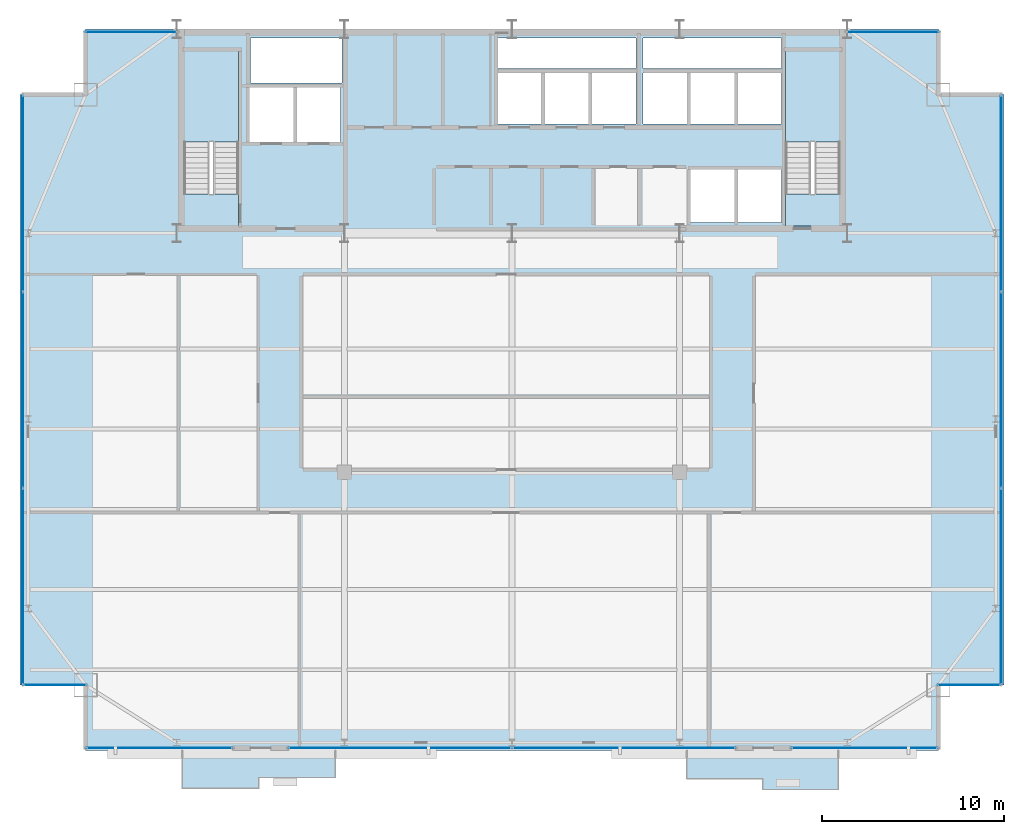
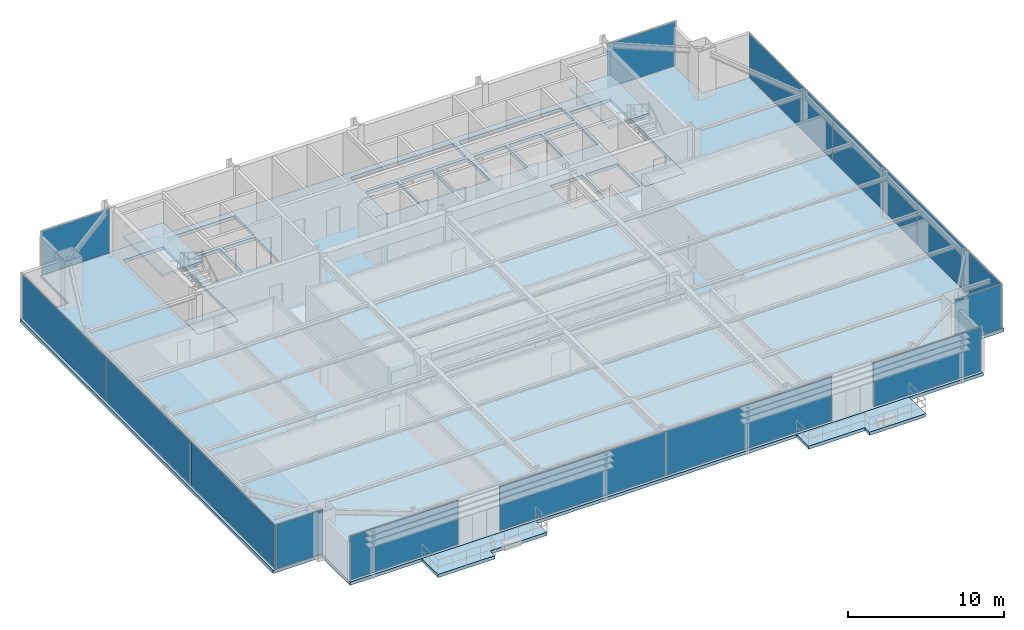
# One storey, part 24 of 31: 14 plates, 7 slabs, 11 elements without a shape of their own.
"""IFC4 building model written with IfcOpenShell, lengths in metres."""

from ifc_helpers import new_model, si_unit, direction, frame, origin, origin_2d, place, context, subcontext, project, spatial, polyline, rectangle, outline, extrude, source, transform, mapped, material, layer, layer_set, type_object, type_shapes, element, aggregate, save


model = new_model("IFC4")

# Units and contexts
model_context = context("Model", 3, precision=1e-05, world=origin(), true_north=direction((0.0, 1.0)))
body_context = subcontext(model_context, "Body", "Model", "MODEL_VIEW")
ifc_project = project(units=[si_unit("LENGTHUNIT", "METRE"), si_unit("AREAUNIT", "SQUARE_METRE"), si_unit("VOLUMEUNIT", "CUBIC_METRE"), si_unit("PLANEANGLEUNIT", "RADIAN"), si_unit("MASSUNIT", "GRAM", prefix="KILO")], contexts=[model_context])

# Site, building, storey
site_placement = place(None, origin())
site = spatial("IfcSite", under=ifc_project, at=site_placement, CompositionType="ELEMENT")
building_placement = place(site_placement, origin())
building = spatial("IfcBuilding", under=site, at=building_placement, Name="Varnel Quay Broadcast Tower", CompositionType="ELEMENT")
storey_placement = place(building_placement, frame((0.0, 0.0, 153.39990234375)))
storey = spatial("IfcBuildingStorey", under=building, at=storey_placement, Name="L37", CompositionType="ELEMENT", Elevation=153.39990234375)

# Slabs
ifc_material_1 = material(Name="Concrete CSA A23.3 C40/50", Category="concrete")
ifc_layer_1 = layer(ifc_material_1, 0.25, Name="Concrete CSA A23.3 C40/50")
ifc_layer_set_1 = layer_set([ifc_layer_1], Name="Concrete CSA A23.3 C40/50")
slab_type_1 = type_object("IfcSlabType", Name="Slab_ExtTerrace250", PredefinedType="FLOOR", material=ifc_layer_set_1)
slab_1_placement = place(storey_placement, frame((0.0, 0.0, -0.25)))
element("IfcSlab", 1, at=slab_1_placement, inside=storey, type_object=slab_type_1, Name="L37 Planted Lobe Terrace Slab 1", PredefinedType="FLOOR", context=body_context, shape_type="SweptSolid", body=[
    extrude(outline(polyline([(15.909912109375, 5.1298828125), (20.110107421875, 5.1298828125), (20.110107421875, 5.72998046875), (24.31005859375, 5.72998046875), (24.31005859375, 7.199951171875), (15.909912109375, 7.199951171875), (15.909912109375, 5.1298828125)])), origin(), (0.0, 0.0, 1.0), 0.25),
])
slab_2_placement = place(storey_placement, frame((0.0, 0.0, -0.25)))
element("IfcSlab", 2, at=slab_2_placement, inside=storey, type_object=slab_type_1, Name="L37 Planted Lobe Terrace Slab 2", PredefinedType="FLOOR", context=body_context, shape_type="SweptSolid", body=[
    extrude(outline(polyline([(43.60009765625, 5.669921875), (47.7548828125, 5.669921875), (47.7548828125, 5.070068359375), (51.909912109375, 5.070068359375), (51.909912109375, 7.199951171875), (43.60009765625, 7.199951171875), (43.60009765625, 5.669921875)])), origin(), (0.0, 0.0, 1.0), 0.25),
])
ifc_material_2 = material(Name="Concrete CSA A23.3 C50/60", Category="concrete")
ifc_layer_2 = layer(ifc_material_2, 0.25, Name="Concrete CSA A23.3 C50/60")
ifc_layer_set_2 = layer_set([ifc_layer_2], Name="Concrete CSA A23.3 C50/60")
slab_type_2 = type_object("IfcSlabType", Name="Slab_Floor250", PredefinedType="FLOOR", material=ifc_layer_set_2)
slab_3_placement = place(storey_placement, frame((0.0, 0.0, -0.25)))
element("IfcSlab", 3, at=slab_3_placement, inside=storey, type_object=slab_type_2, Name="L37 Structural Slab", PredefinedType="FLOOR", context=body_context, shape_type="SweptSolid", body=[
    extrude(outline(polyline([(10.60009765625, 7.199951171875), (57.39990234375, 7.199951171875), (57.39990234375, 10.800048828125), (61.0, 10.800048828125), (61.0, 43.199951171875), (57.39990234375, 43.199951171875), (57.39990234375, 46.800048828125), (10.60009765625, 46.800048828125), (10.60009765625, 43.199951171875), (7.0, 43.199951171875), (7.0, 10.800048828125), (10.60009765625, 10.800048828125), (10.60009765625, 7.199951171875)]), holes=[polyline([(19.0, 36.0), (16.0, 36.0), (16.0, 45.60009765625), (19.0, 45.60009765625), (19.0, 36.0)]), polyline([(19.60009765625, 43.60009765625), (22.0, 43.60009765625), (22.0, 40.60009765625), (19.60009765625, 40.60009765625), (19.60009765625, 43.60009765625)]), polyline([(22.199951171875, 43.60009765625), (24.60009765625, 43.60009765625), (24.60009765625, 40.60009765625), (22.199951171875, 40.60009765625), (22.199951171875, 43.60009765625)]), polyline([(33.199951171875, 44.39990234375), (35.60009765625, 44.39990234375), (35.60009765625, 41.60009765625), (33.199951171875, 41.60009765625), (33.199951171875, 44.39990234375)]), polyline([(35.800048828125, 44.39990234375), (38.199951171875, 44.39990234375), (38.199951171875, 41.60009765625), (35.800048828125, 41.60009765625), (35.800048828125, 44.39990234375)]), polyline([(38.39990234375, 44.39990234375), (40.800048828125, 44.39990234375), (40.800048828125, 41.60009765625), (38.39990234375, 41.60009765625), (38.39990234375, 44.39990234375)]), polyline([(19.64990234375, 46.300048828125), (24.679931640625, 46.300048828125), (24.679931640625, 43.85009765625), (19.64990234375, 43.85009765625), (19.64990234375, 46.300048828125)]), polyline([(33.199951171875, 46.300048828125), (40.800048828125, 46.300048828125), (40.800048828125, 44.64990234375), (33.199951171875, 44.64990234375), (33.199951171875, 46.300048828125)]), polyline([(43.800048828125, 39.10009765625), (46.199951171875, 39.10009765625), (46.199951171875, 36.199951171875), (43.800048828125, 36.199951171875), (43.800048828125, 39.10009765625)]), polyline([(46.39990234375, 39.10009765625), (48.800048828125, 39.10009765625), (48.800048828125, 36.199951171875), (46.39990234375, 36.199951171875), (46.39990234375, 39.10009765625)]), polyline([(49.0, 36.0), (49.0, 45.60009765625), (52.0, 45.60009765625), (52.0, 36.0), (49.0, 36.0)]), polyline([(41.199951171875, 44.39990234375), (43.60009765625, 44.39990234375), (43.60009765625, 41.60009765625), (41.199951171875, 41.60009765625), (41.199951171875, 44.39990234375)]), polyline([(43.800048828125, 44.39990234375), (46.199951171875, 44.39990234375), (46.199951171875, 41.60009765625), (43.800048828125, 41.60009765625), (43.800048828125, 44.39990234375)]), polyline([(46.39990234375, 44.39990234375), (48.800048828125, 44.39990234375), (48.800048828125, 41.60009765625), (46.39990234375, 41.60009765625), (46.39990234375, 44.39990234375)]), polyline([(41.199951171875, 46.300048828125), (48.800048828125, 46.300048828125), (48.800048828125, 44.64990234375), (41.199951171875, 44.64990234375), (41.199951171875, 46.300048828125)])]), origin(), (0.0, 0.0, 1.0), 0.25),
])
ifc_layer_3 = layer(ifc_material_2, 0.25, Name="Concrete CSA A23.3 C50/60")
ifc_layer_set_3 = layer_set([ifc_layer_3], Name="Concrete CSA A23.3 C50/60")
slab_type_3 = type_object("IfcSlabType", Name="Slab_StairFloorLanding250", PredefinedType="FLOOR", material=ifc_layer_set_3)
slab_4_placement = place(storey_placement, frame((0.0, 0.0, -0.25)))
element("IfcSlab", 4, at=slab_4_placement, inside=storey, type_object=slab_type_3, Name="L37 ST-01 Structural Floor Landing Slab", PredefinedType="FLOOR", context=body_context, shape_type="SweptSolid", body=[
    extrude(outline(polyline([(19.0, 36.0), (19.0, 37.75), (16.0, 37.75), (16.0, 36.0), (19.0, 36.0)])), origin(), (0.0, 0.0, 1.0), 0.25),
])
slab_5_placement = place(storey_placement, frame((0.0, 0.0, -0.25)))
element("IfcSlab", 5, at=slab_5_placement, inside=storey, type_object=slab_type_3, Name="L37 ST-02 Structural Floor Landing Slab", PredefinedType="FLOOR", context=body_context, shape_type="SweptSolid", body=[
    extrude(outline(polyline([(52.0, 36.0), (52.0, 37.75), (49.0, 37.75), (49.0, 36.0), (52.0, 36.0)])), origin(), (0.0, 0.0, 1.0), 0.25),
])

# Stair, slab
ifc_material_3 = material(Name="Precast Structural Concrete C40/50", Category="concrete")
stair_type_1 = type_object("IfcStairType", Name="Stair_ST-01", PredefinedType="HALF_TURN_STAIR", material=ifc_material_3)
stair_1_placement = place(storey_placement, origin())
stair_1 = element("IfcStair", 6, at=stair_1_placement, inside=storey, type_object=stair_type_1, Name="L37 West Core Exit Stair 1", PredefinedType="HALF_TURN_STAIR")
ifc_layer_4 = layer(ifc_material_3, 0.199951171875, Name="Precast Structural Concrete C40/50")
ifc_layer_set_4 = layer_set([ifc_layer_4], Name="Precast Structural Concrete C40/50")
slab_type_4 = type_object("IfcSlabType", Name="Slab_StairLanding200", PredefinedType="LANDING", material=ifc_layer_set_4)
slab_6_placement = place(storey_placement, frame((0.0, 0.0, 1.7001953125)))
slab_6 = element("IfcSlab", 7, at=slab_6_placement, type_object=slab_type_4, Name="ST-01 landing 1", PredefinedType="LANDING", context=body_context, shape_type="SweptSolid", body=[
    extrude(outline(polyline([(19.0, 40.60009765625), (19.0, 45.60009765625), (16.0, 45.60009765625), (16.0, 40.60009765625), (19.0, 40.60009765625)])), origin(), (0.0, 0.0, 1.0), 0.199951171875),
])
aggregate(stair_1, [slab_6])

stair_type_2 = type_object("IfcStairType", Name="Stair_ST-02", PredefinedType="HALF_TURN_STAIR", material=ifc_material_3)
stair_2_placement = place(storey_placement, origin())
stair_2 = element("IfcStair", 8, at=stair_2_placement, inside=storey, type_object=stair_type_2, Name="L37 East Core Exit Stair 2", PredefinedType="HALF_TURN_STAIR")
slab_7_placement = place(storey_placement, frame((0.0, 0.0, 1.7001953125)))
slab_7 = element("IfcSlab", 9, at=slab_7_placement, type_object=slab_type_4, Name="ST-02 landing 1", PredefinedType="LANDING", context=body_context, shape_type="SweptSolid", body=[
    extrude(outline(polyline([(52.0, 40.60009765625), (52.0, 45.60009765625), (49.0, 45.60009765625), (49.0, 40.60009765625), (52.0, 40.60009765625)])), origin(), (0.0, 0.0, 1.0), 0.199951171875),
])
aggregate(stair_2, [slab_7])

# Curtain wall, plate
ifc_material_4 = material(Name="Anodised Bronze Aluminium 6063-T6", Category="aluminium")
ifc_layer_5 = layer(ifc_material_4, 0.18994140625, Name="Anodised Bronze Aluminium 6063-T6")
ifc_layer_set_5 = layer_set([ifc_layer_5], Name="Anodised Bronze Aluminium 6063-T6")
curtain_wall_type_1 = type_object("IfcCurtainWallType", Name="CW_NotchCorner", PredefinedType="NOTDEFINED", material=ifc_layer_set_5)
curtain_wall_1_placement = place(storey_placement, origin())
curtain_wall_1 = element("IfcCurtainWall", 10, at=curtain_wall_1_placement, inside=storey, type_object=curtain_wall_type_1, Name="L37 SW Notch Curtain Wall", PredefinedType="NOTDEFINED")
ifc_material_5 = material(Name="Triple-Glazed Bronze Low-E Architectural Glass", Category="glass")
ifc_layer_6 = layer(ifc_material_5, 0.028076171875, Name="Triple-Glazed Bronze Low-E Architectural Glass")
ifc_layer_set_6 = layer_set([ifc_layer_6], Name="Triple-Glazed Bronze Low-E Architectural Glass")
plate_type_1 = type_object("IfcPlateType", Name="Panel_CWS-04", PredefinedType="CURTAIN_PANEL", material=ifc_layer_set_6)
shared_shape_1 = source(origin(), body_context, "Body", "SweptSolid", [
    extrude(rectangle(XDim=3.409912109375, YDim=0.028076171875, at=origin_2d()), origin(), (0.0, 0.0, 1.0), 3.43994140625),
])
type_shapes(plate_type_1, [shared_shape_1])
plate_1_placement = place(storey_placement, frame((8.9150390625, 10.800048828125, 0.05517578125), z_axis=(0.0, 0.0, 1.0), x_axis=(1.0, 0.0, 0.0)))
plate_1 = element("IfcPlate", 11, at=plate_1_placement, type_object=plate_type_1, Name="CWS-04 panel 1.1", PredefinedType="CURTAIN_PANEL", context=body_context, shape_type="MappedRepresentation", body=[
    mapped(shared_shape_1, transform((0.0, 0.0, 0.0), x_axis=(1.0, 0.0, 0.0), y_axis=(0.0, 1.0, 0.0), z_axis=(0.0, 0.0, 1.0), scale=1.0)),
])
aggregate(curtain_wall_1, [plate_1])

curtain_wall_2_placement = place(storey_placement, origin())
curtain_wall_2 = element("IfcCurtainWall", 12, at=curtain_wall_2_placement, inside=storey, type_object=curtain_wall_type_1, Name="L37 SE Notch Curtain Wall", PredefinedType="NOTDEFINED")
plate_2_placement = place(storey_placement, frame((59.0849609375, 10.800048828125, 0.05517578125), z_axis=(0.0, 0.0, 1.0), x_axis=(1.0, 0.0, 0.0)))
plate_2 = element("IfcPlate", 13, at=plate_2_placement, type_object=plate_type_1, Name="CWS-04 panel 1.1", PredefinedType="CURTAIN_PANEL", context=body_context, shape_type="MappedRepresentation", body=[
    mapped(shared_shape_1, transform((0.0, 0.0, 0.0), x_axis=(1.0, 0.0, 0.0), y_axis=(0.0, 1.0, 0.0), z_axis=(0.0, 0.0, 1.0), scale=1.0)),
])
aggregate(curtain_wall_2, [plate_2])

ifc_layer_7 = layer(ifc_material_4, 0.18994140625, Name="Anodised Bronze Aluminium 6063-T6")
ifc_layer_set_7 = layer_set([ifc_layer_7], Name="Anodised Bronze Aluminium 6063-T6")
curtain_wall_type_2 = type_object("IfcCurtainWallType", Name="CW_UpperTower", PredefinedType="NOTDEFINED", material=ifc_layer_set_7)
curtain_wall_3_placement = place(storey_placement, origin())
curtain_wall_3 = element("IfcCurtainWall", 14, at=curtain_wall_3_placement, inside=storey, type_object=curtain_wall_type_2, Name="L37 West Unitised Curtain Wall", PredefinedType="NOTDEFINED")
ifc_material_6 = material(Name="Insulated Bronze Spandrel Glass", Category="glass")
ifc_layer_8 = layer(ifc_material_6, 0.030029296875, Name="Insulated Bronze Spandrel Glass")
ifc_layer_set_8 = layer_set([ifc_layer_8], Name="Insulated Bronze Spandrel Glass")
plate_type_2 = type_object("IfcPlateType", Name="PanelSp_CWS-03", PredefinedType="CURTAIN_PANEL", material=ifc_layer_set_8)
shared_shape_2 = source(origin(), body_context, "Body", "SweptSolid", [
    extrude(rectangle(XDim=10.702392578125, YDim=0.030029296875, at=origin_2d()), origin(), (0.0, 0.0, 1.0), 3.429931640625),
])
plate_3_placement = place(storey_placement, frame((7.14990234375, 16.21630859375, 0.06005859375), z_axis=(0.0, 0.0, 1.0), x_axis=(0.0, 1.0, 0.0)))
plate_3 = element("IfcPlate", 15, at=plate_3_placement, type_object=plate_type_2, Name="CWS-03 panel 1.1", PredefinedType="CURTAIN_PANEL", context=body_context, shape_type="MappedRepresentation", body=[
    mapped(shared_shape_2, transform((0.0, 0.0, 0.0), x_axis=(1.0, 0.0, 0.0), y_axis=(0.0, 1.0, 0.0), z_axis=(0.0, 0.0, 1.0), scale=1.0)),
])

curtain_wall_4_placement = place(storey_placement, origin())
curtain_wall_4 = element("IfcCurtainWall", 16, at=curtain_wall_4_placement, inside=storey, type_object=curtain_wall_type_2, Name="L37 East Unitised Curtain Wall", PredefinedType="NOTDEFINED")
plate_4_placement = place(storey_placement, frame((60.85009765625, 16.21630859375, 0.06005859375), z_axis=(0.0, 0.0, 1.0), x_axis=(0.0, 1.0, 0.0)))
plate_4 = element("IfcPlate", 17, at=plate_4_placement, type_object=plate_type_2, Name="CWS-03 panel 1.1", PredefinedType="CURTAIN_PANEL", context=body_context, shape_type="MappedRepresentation", body=[
    mapped(shared_shape_2, transform((0.0, 0.0, 0.0), x_axis=(1.0, 0.0, 0.0), y_axis=(0.0, 1.0, 0.0), z_axis=(0.0, 0.0, 1.0), scale=1.0)),
])

# Plate
shared_shape_3 = source(origin(), body_context, "Body", "SweptSolid", [
    extrude(rectangle(XDim=10.735107421875, YDim=0.030029296875, at=origin_2d()), origin(), (0.0, 0.0, 1.0), 3.429931640625),
])
plate_5_placement = place(storey_placement, frame((7.14990234375, 27.0, 0.06005859375), z_axis=(0.0, 0.0, 1.0), x_axis=(0.0, 1.0, 0.0)))
plate_5 = element("IfcPlate", 18, at=plate_5_placement, type_object=plate_type_2, Name="CWS-03 panel 2.1", PredefinedType="CURTAIN_PANEL", context=body_context, shape_type="MappedRepresentation", body=[
    mapped(shared_shape_3, transform((0.0, 0.0, 0.0), x_axis=(1.0, 0.0, 0.0), y_axis=(0.0, 1.0, 0.0), z_axis=(0.0, 0.0, 1.0), scale=1.0)),
])

plate_6_placement = place(storey_placement, frame((60.85009765625, 27.0, 0.06005859375), z_axis=(0.0, 0.0, 1.0), x_axis=(0.0, 1.0, 0.0)))
plate_6 = element("IfcPlate", 19, at=plate_6_placement, type_object=plate_type_2, Name="CWS-03 panel 2.1", PredefinedType="CURTAIN_PANEL", context=body_context, shape_type="MappedRepresentation", body=[
    mapped(shared_shape_3, transform((0.0, 0.0, 0.0), x_axis=(1.0, 0.0, 0.0), y_axis=(0.0, 1.0, 0.0), z_axis=(0.0, 0.0, 1.0), scale=1.0)),
])

# Curtain wall, plate
curtain_wall_5_placement = place(storey_placement, origin())
curtain_wall_5 = element("IfcCurtainWall", 20, at=curtain_wall_5_placement, inside=storey, type_object=curtain_wall_type_2, Name="L37 NW Wing Curtain Wall", PredefinedType="NOTDEFINED")
ifc_layer_9 = layer(ifc_material_5, 0.030029296875, Name="Triple-Glazed Bronze Low-E Architectural Glass")
ifc_layer_set_9 = layer_set([ifc_layer_9], Name="Triple-Glazed Bronze Low-E Architectural Glass")
plate_type_3 = type_object("IfcPlateType", Name="Panel_CWS-03", PredefinedType="CURTAIN_PANEL", material=ifc_layer_set_9)
shared_shape_4 = source(origin(), body_context, "Body", "SweptSolid", [
    extrude(rectangle(XDim=5.050048828125, YDim=0.030029296875, at=origin_2d()), origin(), (0.0, 0.0, 1.0), 3.429931640625),
])
plate_7_placement = place(storey_placement, frame((13.110107421875, 46.64990234375, 0.06005859375), z_axis=(0.0, 0.0, 1.0), x_axis=(1.0, 0.0, 0.0)))
plate_7 = element("IfcPlate", 21, at=plate_7_placement, type_object=plate_type_3, Name="CWS-03 panel 1.1", PredefinedType="CURTAIN_PANEL", context=body_context, shape_type="MappedRepresentation", body=[
    mapped(shared_shape_4, transform((0.0, 0.0, 0.0), x_axis=(1.0, 0.0, 0.0), y_axis=(0.0, 1.0, 0.0), z_axis=(0.0, 0.0, 1.0), scale=1.0)),
])
aggregate(curtain_wall_5, [plate_7])

curtain_wall_6_placement = place(storey_placement, origin())
curtain_wall_6 = element("IfcCurtainWall", 22, at=curtain_wall_6_placement, inside=storey, type_object=curtain_wall_type_2, Name="L37 NE Wing Curtain Wall", PredefinedType="NOTDEFINED")
plate_8_placement = place(storey_placement, frame((54.889892578125, 46.64990234375, 0.06005859375), z_axis=(0.0, 0.0, 1.0), x_axis=(1.0, 0.0, 0.0)))
plate_8 = element("IfcPlate", 23, at=plate_8_placement, type_object=plate_type_3, Name="CWS-03 panel 1.1", PredefinedType="CURTAIN_PANEL", context=body_context, shape_type="MappedRepresentation", body=[
    mapped(shared_shape_4, transform((0.0, 0.0, 0.0), x_axis=(1.0, 0.0, 0.0), y_axis=(0.0, 1.0, 0.0), z_axis=(0.0, 0.0, 1.0), scale=1.0)),
])
aggregate(curtain_wall_6, [plate_8])

# Plate
shared_shape_5 = source(origin(), body_context, "Body", "SweptSolid", [
    extrude(rectangle(XDim=10.702392578125, YDim=0.030029296875, at=origin_2d()), origin(), (0.0, 0.0, 1.0), 3.429931640625),
])
plate_9_placement = place(storey_placement, frame((7.14990234375, 37.78369140625, 0.06005859375), z_axis=(0.0, 0.0, 1.0), x_axis=(0.0, 1.0, 0.0)))
plate_9 = element("IfcPlate", 24, at=plate_9_placement, type_object=plate_type_3, Name="CWS-03 panel 3.1", PredefinedType="CURTAIN_PANEL", context=body_context, shape_type="MappedRepresentation", body=[
    mapped(shared_shape_5, transform((0.0, 0.0, 0.0), x_axis=(1.0, 0.0, 0.0), y_axis=(0.0, 1.0, 0.0), z_axis=(0.0, 0.0, 1.0), scale=1.0)),
])

aggregate(curtain_wall_3, [plate_3, plate_5, plate_9])

plate_10_placement = place(storey_placement, frame((60.85009765625, 37.78369140625, 0.06005859375), z_axis=(0.0, 0.0, 1.0), x_axis=(0.0, 1.0, 0.0)))
plate_10 = element("IfcPlate", 25, at=plate_10_placement, type_object=plate_type_3, Name="CWS-03 panel 3.1", PredefinedType="CURTAIN_PANEL", context=body_context, shape_type="MappedRepresentation", body=[
    mapped(shared_shape_5, transform((0.0, 0.0, 0.0), x_axis=(1.0, 0.0, 0.0), y_axis=(0.0, 1.0, 0.0), z_axis=(0.0, 0.0, 1.0), scale=1.0)),
])

aggregate(curtain_wall_4, [plate_4, plate_6, plate_10])

# Curtain wall, plate
curtain_wall_7_placement = place(storey_placement, origin())
curtain_wall_7 = element("IfcCurtainWall", 26, at=curtain_wall_7_placement, inside=storey, type_object=curtain_wall_type_2, Name="L37 South Unitised Curtain Wall 1", PredefinedType="NOTDEFINED")
shared_shape_6 = source(origin(), body_context, "Body", "SweptSolid", [
    extrude(rectangle(XDim=7.989990234375, YDim=0.030029296875, at=origin_2d()), origin(), (0.0, 0.0, 1.0), 3.429931640625),
])
type_shapes(plate_type_3, [shared_shape_4, shared_shape_5, shared_shape_6])
plate_11_placement = place(storey_placement, frame((14.659912109375, 7.35009765625, 0.06005859375), z_axis=(0.0, 0.0, 1.0), x_axis=(1.0, 0.0, 0.0)))
plate_11 = element("IfcPlate", 27, at=plate_11_placement, type_object=plate_type_3, Name="CWS-03 panel 1.1", PredefinedType="CURTAIN_PANEL", context=body_context, shape_type="MappedRepresentation", body=[
    mapped(shared_shape_6, transform((0.0, 0.0, 0.0), x_axis=(1.0, 0.0, 0.0), y_axis=(0.0, 1.0, 0.0), z_axis=(0.0, 0.0, 1.0), scale=1.0)),
])
aggregate(curtain_wall_7, [plate_11])

curtain_wall_8_placement = place(storey_placement, origin())
curtain_wall_8 = element("IfcCurtainWall", 28, at=curtain_wall_8_placement, inside=storey, type_object=curtain_wall_type_2, Name="L37 South Unitised Curtain Wall 3", PredefinedType="NOTDEFINED")
plate_12_placement = place(storey_placement, frame((53.340087890625, 7.35009765625, 0.06005859375), z_axis=(0.0, 0.0, 1.0), x_axis=(1.0, 0.0, 0.0)))
plate_12 = element("IfcPlate", 29, at=plate_12_placement, type_object=plate_type_3, Name="CWS-03 panel 1.1", PredefinedType="CURTAIN_PANEL", context=body_context, shape_type="MappedRepresentation", body=[
    mapped(shared_shape_6, transform((0.0, 0.0, 0.0), x_axis=(1.0, 0.0, 0.0), y_axis=(0.0, 1.0, 0.0), z_axis=(0.0, 0.0, 1.0), scale=1.0)),
])
aggregate(curtain_wall_8, [plate_12])

# Curtain wall, plates
curtain_wall_9_placement = place(storey_placement, origin())
curtain_wall_9 = element("IfcCurtainWall", 30, at=curtain_wall_9_placement, inside=storey, type_object=curtain_wall_type_2, Name="L37 South Unitised Curtain Wall 2", PredefinedType="NOTDEFINED")
shared_shape_7 = source(origin(), body_context, "Body", "SweptSolid", [
    extrude(rectangle(XDim=12.222412109375, YDim=0.030029296875, at=origin_2d()), origin(), (0.0, 0.0, 1.0), 3.429931640625),
])
type_shapes(plate_type_2, [shared_shape_2, shared_shape_3, shared_shape_7])
plate_13_placement = place(storey_placement, frame((27.856201171875, 7.35009765625, 0.06005859375), z_axis=(0.0, 0.0, 1.0), x_axis=(1.0, 0.0, 0.0)))
plate_13 = element("IfcPlate", 31, at=plate_13_placement, type_object=plate_type_2, Name="CWS-03 panel 1.1", PredefinedType="CURTAIN_PANEL", context=body_context, shape_type="MappedRepresentation", body=[
    mapped(shared_shape_7, transform((0.0, 0.0, 0.0), x_axis=(1.0, 0.0, 0.0), y_axis=(0.0, 1.0, 0.0), z_axis=(0.0, 0.0, 1.0), scale=1.0)),
])
plate_14_placement = place(storey_placement, frame((40.143798828125, 7.35009765625, 0.06005859375), z_axis=(0.0, 0.0, 1.0), x_axis=(1.0, 0.0, 0.0)))
plate_14 = element("IfcPlate", 32, at=plate_14_placement, type_object=plate_type_2, Name="CWS-03 panel 2.1", PredefinedType="CURTAIN_PANEL", context=body_context, shape_type="MappedRepresentation", body=[
    mapped(shared_shape_7, transform((0.0, 0.0, 0.0), x_axis=(1.0, 0.0, 0.0), y_axis=(0.0, 1.0, 0.0), z_axis=(0.0, 0.0, 1.0), scale=1.0)),
])
aggregate(curtain_wall_9, [plate_13, plate_14])

save(model, "model.ifc")
